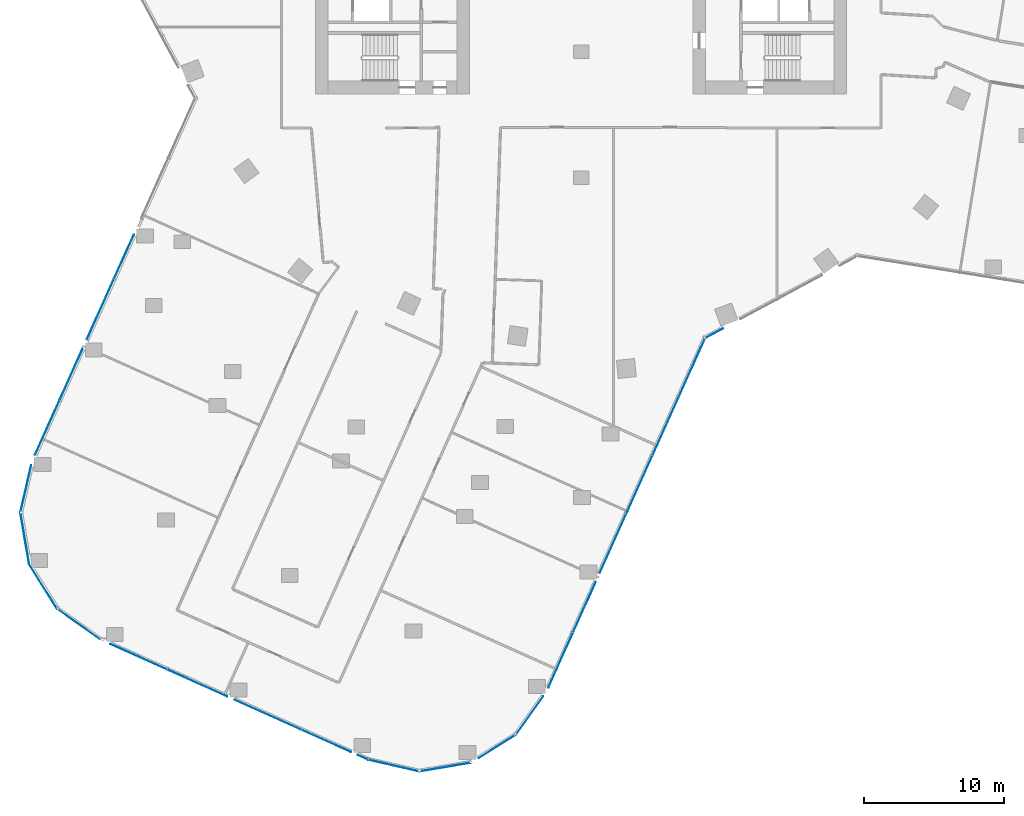
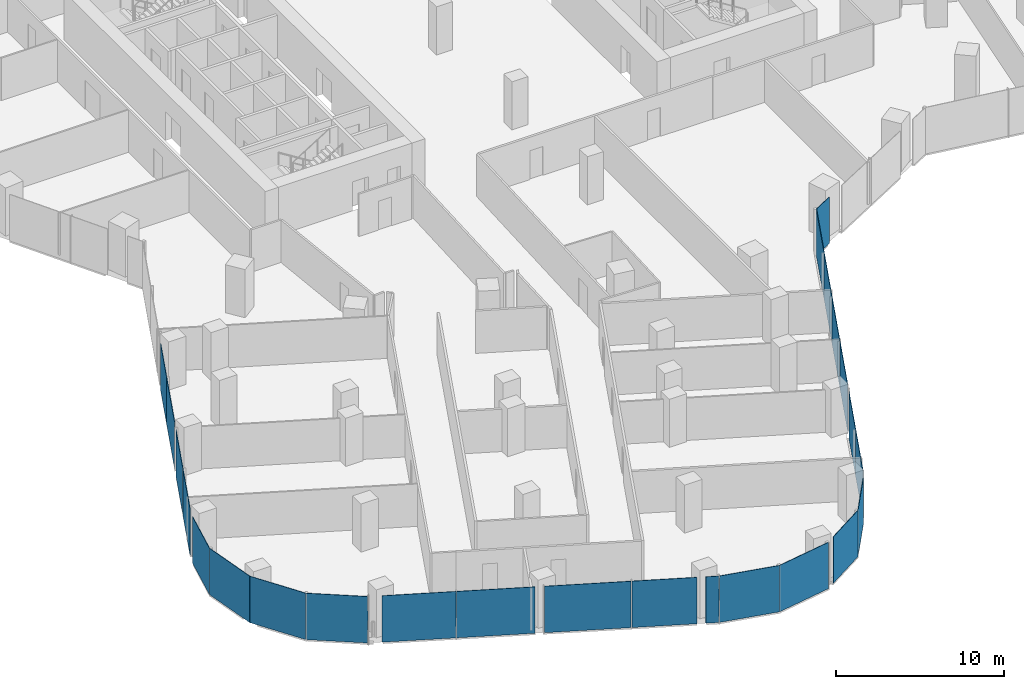
# One storey, part 18 of 34: 24 plates, 12 elements without a shape of their own.
"""IFC4 building model written with IfcOpenShell, lengths in metres."""

from ifc_helpers import new_model, si_unit, direction, frame, origin, origin_2d, place, context, subcontext, project, spatial, rectangle, extrude, material, layer, layer_set, type_object, element, aggregate, save


model = new_model("IFC4")

# Units and contexts
model_context = context("Model", 3, precision=1e-05, world=origin(), true_north=direction((0.0, 1.0)))
body_context = subcontext(model_context, "Body", "Model", "MODEL_VIEW")
ifc_project = project(units=[si_unit("LENGTHUNIT", "METRE"), si_unit("AREAUNIT", "SQUARE_METRE"), si_unit("VOLUMEUNIT", "CUBIC_METRE"), si_unit("PLANEANGLEUNIT", "RADIAN"), si_unit("MASSUNIT", "GRAM", prefix="KILO")], contexts=[model_context])

# Site, building, storey
site_placement = place(None, origin())
site = spatial("IfcSite", under=ifc_project, at=site_placement, CompositionType="ELEMENT")
building_placement = place(site_placement, origin())
building = spatial("IfcBuilding", under=site, at=building_placement, Name="Orlundy Tower", CompositionType="ELEMENT")
storey_placement = place(building_placement, frame((0.0, 0.0, 130.699951171875)))
storey = spatial("IfcBuildingStorey", under=building, at=storey_placement, Name="L33", CompositionType="ELEMENT", Elevation=130.699951171875)

# Curtain wall, plates
ifc_material_1 = material(Name="Aluminium bronze anodised", Category="aluminium")
curtain_wall_type = type_object("IfcCurtainWallType", Name="CW1 wall", PredefinedType="NOTDEFINED", material=ifc_material_1)
curtain_wall_1_placement = place(storey_placement, origin())
curtain_wall_1 = element("IfcCurtainWall", 1, at=curtain_wall_1_placement, inside=storey, type_object=curtain_wall_type, Name="CW1 run 00", PredefinedType="NOTDEFINED")
ifc_material_2 = material(Name="Tinted glass", Category="glass")
ifc_layer = layer(ifc_material_2, 0.031982421875)
ifc_layer_set = layer_set([ifc_layer], Name="CW1 glass panel 32")
plate_type = type_object("IfcPlateType", Name="CW1 glass panel 32", PredefinedType="CURTAIN_PANEL", material=ifc_layer_set)
plate_1_placement = place(storey_placement, frame((-38.206787109375, -35.89306640625, -0.27978515625), z_axis=(0.0, 0.0, 1.0), x_axis=(0.409404071174, 0.912353169834, 0.0)))
plate_1 = element("IfcPlate", 2, at=plate_1_placement, type_object=plate_type, Name="CW1 panel", PredefinedType="CURTAIN_PANEL", context=body_context, shape_type="SweptSolid", body=[
    extrude(rectangle(XDim=4.239501953125, YDim=0.031982421875, at=origin_2d()), origin(), (0.0, 0.0, 1.0), 3.3798828125),
])
plate_2_placement = place(storey_placement, frame((-36.499755859375, -32.0888671875, -0.27978515625), z_axis=(0.0, 0.0, 1.0), x_axis=(0.409404071174, 0.912353169834, 0.0)))
plate_2 = element("IfcPlate", 3, at=plate_2_placement, type_object=plate_type, Name="CW1 panel", PredefinedType="CURTAIN_PANEL", context=body_context, shape_type="SweptSolid", body=[
    extrude(rectangle(XDim=3.999755859375, YDim=0.031982421875, at=origin_2d()), origin(), (0.0, 0.0, 1.0), 3.3798828125),
])
plate_3_placement = place(storey_placement, frame((-34.408447265625, -27.4287109375, -0.27978515625), z_axis=(0.0, 0.0, 1.0), x_axis=(0.409404071174, 0.912353169834, 0.0)))
plate_3 = element("IfcPlate", 4, at=plate_3_placement, type_object=plate_type, Name="CW1 panel", PredefinedType="CURTAIN_PANEL", context=body_context, shape_type="SweptSolid", body=[
    extrude(rectangle(XDim=4.705322265625, YDim=0.031982421875, at=origin_2d()), origin(), (0.0, 0.0, 1.0), 3.3798828125),
])
plate_4_placement = place(storey_placement, frame((-32.717529296875, -23.659912109375, -0.27978515625), z_axis=(0.0, 0.0, 1.0), x_axis=(0.409404071174, 0.912353169834, 0.0)))
plate_4 = element("IfcPlate", 5, at=plate_4_placement, type_object=plate_type, Name="CW1 panel", PredefinedType="CURTAIN_PANEL", context=body_context, shape_type="SweptSolid", body=[
    extrude(rectangle(XDim=3.4560546875, YDim=0.031982421875, at=origin_2d()), origin(), (0.0, 0.0, 1.0), 3.3798828125),
])
aggregate(curtain_wall_1, [plate_1, plate_2, plate_3, plate_4])

# Curtain wall, plate
curtain_wall_2_placement = place(storey_placement, origin())
curtain_wall_2 = element("IfcCurtainWall", 6, at=curtain_wall_2_placement, inside=storey, type_object=curtain_wall_type, Name="CW1 run 017", PredefinedType="NOTDEFINED")
plate_5_placement = place(storey_placement, frame((9.50830078125, -29.142578125, -0.27978515625), z_axis=(0.0, 0.0, 1.0), x_axis=(-0.88019320423, -0.474615553081, 0.0)))
plate_5 = element("IfcPlate", 7, at=plate_5_placement, type_object=plate_type, Name="CW1 panel", PredefinedType="CURTAIN_PANEL", context=body_context, shape_type="SweptSolid", body=[
    extrude(rectangle(XDim=1.450927734375, YDim=0.031982421875, at=origin_2d()), origin(), (0.0, 0.0, 1.0), 3.3798828125),
])
aggregate(curtain_wall_2, [plate_5])

# Curtain wall, plates
curtain_wall_3_placement = place(storey_placement, origin())
curtain_wall_3 = element("IfcCurtainWall", 8, at=curtain_wall_3_placement, inside=storey, type_object=curtain_wall_type, Name="CW1 run 018", PredefinedType="NOTDEFINED")
plate_6_placement = place(storey_placement, frame((7.9384765625, -31.5625, -0.27978515625), z_axis=(0.0, 0.0, 1.0), x_axis=(-0.409405171428, -0.912352676112, 0.0)))
plate_6 = element("IfcPlate", 9, at=plate_6_placement, type_object=plate_type, Name="CW1 panel", PredefinedType="CURTAIN_PANEL", context=body_context, shape_type="SweptSolid", body=[
    extrude(rectangle(XDim=4.550048828125, YDim=0.031982421875, at=origin_2d()), origin(), (0.0, 0.0, 1.0), 3.3798828125),
])
plate_7_placement = place(storey_placement, frame((6.048828125, -35.7734375, -0.27978515625), z_axis=(0.0, 0.0, 1.0), x_axis=(-0.409405171428, -0.912352676112, 0.0)))
plate_7 = element("IfcPlate", 10, at=plate_7_placement, type_object=plate_type, Name="CW1 panel", PredefinedType="CURTAIN_PANEL", context=body_context, shape_type="SweptSolid", body=[
    extrude(rectangle(XDim=4.580810546875, YDim=0.031982421875, at=origin_2d()), origin(), (0.0, 0.0, 1.0), 3.3798828125),
])
plate_8_placement = place(storey_placement, frame((4.153076171875, -39.998291015625, -0.27978515625), z_axis=(0.0, 0.0, 1.0), x_axis=(-0.409405171428, -0.912352676112, 0.0)))
plate_8 = element("IfcPlate", 11, at=plate_8_placement, type_object=plate_type, Name="CW1 panel", PredefinedType="CURTAIN_PANEL", context=body_context, shape_type="SweptSolid", body=[
    extrude(rectangle(XDim=4.580810546875, YDim=0.031982421875, at=origin_2d()), origin(), (0.0, 0.0, 1.0), 3.3798828125),
])
plate_9_placement = place(storey_placement, frame((2.25732421875, -44.22314453125, -0.27978515625), z_axis=(0.0, 0.0, 1.0), x_axis=(-0.409405171428, -0.912352676112, 0.0)))
plate_9 = element("IfcPlate", 12, at=plate_9_placement, type_object=plate_type, Name="CW1 panel", PredefinedType="CURTAIN_PANEL", context=body_context, shape_type="SweptSolid", body=[
    extrude(rectangle(XDim=4.580810546875, YDim=0.031982421875, at=origin_2d()), origin(), (0.0, 0.0, 1.0), 3.3798828125),
])
plate_10_placement = place(storey_placement, frame((0.23291015625, -48.734130859375, -0.27978515625), z_axis=(0.0, 0.0, 1.0), x_axis=(-0.409405171428, -0.912352676112, 0.0)))
plate_10 = element("IfcPlate", 13, at=plate_10_placement, type_object=plate_type, Name="CW1 panel", PredefinedType="CURTAIN_PANEL", context=body_context, shape_type="SweptSolid", body=[
    extrude(rectangle(XDim=3.952880859375, YDim=0.031982421875, at=origin_2d()), origin(), (0.0, 0.0, 1.0), 3.3798828125),
])
plate_11_placement = place(storey_placement, frame((-1.474365234375, -52.538818359375, -0.27978515625), z_axis=(0.0, 0.0, 1.0), x_axis=(-0.409405171428, -0.912352676112, 0.0)))
plate_11 = element("IfcPlate", 14, at=plate_11_placement, type_object=plate_type, Name="CW1 panel", PredefinedType="CURTAIN_PANEL", context=body_context, shape_type="SweptSolid", body=[
    extrude(rectangle(XDim=4.287353515625, YDim=0.031982421875, at=origin_2d()), origin(), (0.0, 0.0, 1.0), 3.3798828125),
])
aggregate(curtain_wall_3, [plate_6, plate_7, plate_8, plate_9, plate_10, plate_11])

# Curtain wall, plate
curtain_wall_4_placement = place(storey_placement, origin())
curtain_wall_4 = element("IfcCurtainWall", 15, at=curtain_wall_4_placement, inside=storey, type_object=curtain_wall_type, Name="CW1 run 019", PredefinedType="NOTDEFINED")
plate_12_placement = place(storey_placement, frame((-3.68798828125, -56.486328125, -0.27978515625), z_axis=(0.0, 0.0, 1.0), x_axis=(-0.579476006313, -0.814989299383, 0.0)))
plate_12 = element("IfcPlate", 16, at=plate_12_placement, type_object=plate_type, Name="CW1 panel", PredefinedType="CURTAIN_PANEL", context=body_context, shape_type="SweptSolid", body=[
    extrude(rectangle(XDim=3.37255859375, YDim=0.031982421875, at=origin_2d()), origin(), (0.0, 0.0, 1.0), 3.3798828125),
])
aggregate(curtain_wall_4, [plate_12])

curtain_wall_5_placement = place(storey_placement, origin())
curtain_wall_5 = element("IfcCurtainWall", 17, at=curtain_wall_5_placement, inside=storey, type_object=curtain_wall_type, Name="CW1 run 020", PredefinedType="NOTDEFINED")
plate_13_placement = place(storey_placement, frame((-5.99951171875, -58.697021484375, -0.27978515625), z_axis=(0.0, 0.0, 1.0), x_axis=(-0.847285276564, -0.531138080086, 0.0)))
plate_13 = element("IfcPlate", 18, at=plate_13_placement, type_object=plate_type, Name="CW1 panel", PredefinedType="CURTAIN_PANEL", context=body_context, shape_type="SweptSolid", body=[
    extrude(rectangle(XDim=3.149658203125, YDim=0.031982421875, at=origin_2d()), origin(), (0.0, 0.0, 1.0), 3.3798828125),
])
aggregate(curtain_wall_5, [plate_13])

curtain_wall_6_placement = place(storey_placement, origin())
curtain_wall_6 = element("IfcCurtainWall", 19, at=curtain_wall_6_placement, inside=storey, type_object=curtain_wall_type, Name="CW1 run 021", PredefinedType="NOTDEFINED")
plate_14_placement = place(storey_placement, frame((-9.72119140625, -60.17822265625, -0.27978515625), z_axis=(0.0, 0.0, 1.0), x_axis=(-0.986049086137, -0.166454797856, 0.0)))
plate_14 = element("IfcPlate", 20, at=plate_14_placement, type_object=plate_type, Name="CW1 panel", PredefinedType="CURTAIN_PANEL", context=body_context, shape_type="SweptSolid", body=[
    extrude(rectangle(XDim=3.77197265625, YDim=0.031982421875, at=origin_2d()), origin(), (0.0, 0.0, 1.0), 3.3798828125),
])
aggregate(curtain_wall_6, [plate_14])

curtain_wall_7_placement = place(storey_placement, origin())
curtain_wall_7 = element("IfcCurtainWall", 21, at=curtain_wall_7_placement, inside=storey, type_object=curtain_wall_type, Name="CW1 run 022", PredefinedType="NOTDEFINED")
plate_15_placement = place(storey_placement, frame((-13.3984375, -60.074951171875, -0.27978515625), z_axis=(0.0, 0.0, 1.0), x_axis=(-0.974658825104, 0.223696612955, 0.0)))
plate_15 = element("IfcPlate", 22, at=plate_15_placement, type_object=plate_type, Name="CW1 panel", PredefinedType="CURTAIN_PANEL", context=body_context, shape_type="SweptSolid", body=[
    extrude(rectangle(XDim=3.7294921875, YDim=0.031982421875, at=origin_2d()), origin(), (0.0, 0.0, 1.0), 3.3798828125),
])
aggregate(curtain_wall_7, [plate_15])

# Curtain wall, plates
curtain_wall_8_placement = place(storey_placement, origin())
curtain_wall_8 = element("IfcCurtainWall", 23, at=curtain_wall_8_placement, inside=storey, type_object=curtain_wall_type, Name="CW1 run 023", PredefinedType="NOTDEFINED")
plate_16_placement = place(storey_placement, frame((-15.62109375, -59.4814453125, -0.27978515625), z_axis=(0.0, 0.0, 1.0), x_axis=(-0.912366461182, 0.409374450241, 0.0)))
plate_16 = element("IfcPlate", 24, at=plate_16_placement, type_object=plate_type, Name="CW1 panel", PredefinedType="CURTAIN_PANEL", context=body_context, shape_type="SweptSolid", body=[
    extrude(rectangle(XDim=0.783935546875, YDim=0.031982421875, at=origin_2d()), origin(), (0.0, 0.0, 1.0), 3.3798828125),
])
plate_17_placement = place(storey_placement, frame((-18.24755859375, -58.302978515625, -0.27978515625), z_axis=(0.0, 0.0, 1.0), x_axis=(-0.912366461182, 0.409374450241, 0.0)))
plate_17 = element("IfcPlate", 25, at=plate_17_placement, type_object=plate_type, Name="CW1 panel", PredefinedType="CURTAIN_PANEL", context=body_context, shape_type="SweptSolid", body=[
    extrude(rectangle(XDim=3.89013671875, YDim=0.031982421875, at=origin_2d()), origin(), (0.0, 0.0, 1.0), 3.3798828125),
])
plate_18_placement = place(storey_placement, frame((-22.440185546875, -56.421875, -0.27978515625), z_axis=(0.0, 0.0, 1.0), x_axis=(-0.912366461182, 0.409374450241, 0.0)))
plate_18 = element("IfcPlate", 26, at=plate_18_placement, type_object=plate_type, Name="CW1 panel", PredefinedType="CURTAIN_PANEL", context=body_context, shape_type="SweptSolid", body=[
    extrude(rectangle(XDim=5.2001953125, YDim=0.031982421875, at=origin_2d()), origin(), (0.0, 0.0, 1.0), 3.3798828125),
])
plate_19_placement = place(storey_placement, frame((-27.462646484375, -54.168212890625, -0.27978515625), z_axis=(0.0, 0.0, 1.0), x_axis=(-0.912366461182, 0.409374450241, 0.0)))
plate_19 = element("IfcPlate", 27, at=plate_19_placement, type_object=plate_type, Name="CW1 panel", PredefinedType="CURTAIN_PANEL", context=body_context, shape_type="SweptSolid", body=[
    extrude(rectangle(XDim=4.6904296875, YDim=0.031982421875, at=origin_2d()), origin(), (0.0, 0.0, 1.0), 3.3798828125),
])
plate_20_placement = place(storey_placement, frame((-31.663330078125, -52.283203125, -0.27978515625), z_axis=(0.0, 0.0, 1.0), x_axis=(-0.912366461182, 0.409374450241, 0.0)))
plate_20 = element("IfcPlate", 28, at=plate_20_placement, type_object=plate_type, Name="CW1 panel", PredefinedType="CURTAIN_PANEL", context=body_context, shape_type="SweptSolid", body=[
    extrude(rectangle(XDim=4.41796875, YDim=0.031982421875, at=origin_2d()), origin(), (0.0, 0.0, 1.0), 3.3798828125),
])
aggregate(curtain_wall_8, [plate_16, plate_17, plate_18, plate_19, plate_20])

# Curtain wall, plate
curtain_wall_9_placement = place(storey_placement, origin())
curtain_wall_9 = element("IfcCurtainWall", 29, at=curtain_wall_9_placement, inside=storey, type_object=curtain_wall_type, Name="CW1 run 024", PredefinedType="NOTDEFINED")
plate_21_placement = place(storey_placement, frame((-35.970458984375, -49.946533203125, -0.27978515625), z_axis=(0.0, 0.0, 1.0), x_axis=(-0.814989299383, 0.579476006313, 0.0)))
plate_21 = element("IfcPlate", 30, at=plate_21_placement, type_object=plate_type, Name="CW1 panel", PredefinedType="CURTAIN_PANEL", context=body_context, shape_type="SweptSolid", body=[
    extrude(rectangle(XDim=3.73046875, YDim=0.031982421875, at=origin_2d()), origin(), (0.0, 0.0, 1.0), 3.3798828125),
])
aggregate(curtain_wall_9, [plate_21])

curtain_wall_10_placement = place(storey_placement, origin())
curtain_wall_10 = element("IfcCurtainWall", 31, at=curtain_wall_10_placement, inside=storey, type_object=curtain_wall_type, Name="CW1 run 025", PredefinedType="NOTDEFINED")
plate_22_placement = place(storey_placement, frame((-38.492431640625, -47.267578125, -0.27978515625), z_axis=(0.0, 0.0, 1.0), x_axis=(-0.531138080086, 0.847285276564, 0.0)))
plate_22 = element("IfcPlate", 32, at=plate_22_placement, type_object=plate_type, Name="CW1 panel", PredefinedType="CURTAIN_PANEL", context=body_context, shape_type="SweptSolid", body=[
    extrude(rectangle(XDim=3.7724609375, YDim=0.031982421875, at=origin_2d()), origin(), (0.0, 0.0, 1.0), 3.3798828125),
])
aggregate(curtain_wall_10, [plate_22])

curtain_wall_11_placement = place(storey_placement, origin())
curtain_wall_11 = element("IfcCurtainWall", 33, at=curtain_wall_11_placement, inside=storey, type_object=curtain_wall_type, Name="CW1 run 026", PredefinedType="NOTDEFINED")
plate_23_placement = place(storey_placement, frame((-39.80810546875, -43.809814453125, -0.27978515625), z_axis=(0.0, 0.0, 1.0), x_axis=(-0.166454797856, 0.986049086137, 0.0)))
plate_23 = element("IfcPlate", 34, at=plate_23_placement, type_object=plate_type, Name="CW1 panel", PredefinedType="CURTAIN_PANEL", context=body_context, shape_type="SweptSolid", body=[
    extrude(rectangle(XDim=3.77197265625, YDim=0.031982421875, at=origin_2d()), origin(), (0.0, 0.0, 1.0), 3.3798828125),
])
aggregate(curtain_wall_11, [plate_23])

curtain_wall_12_placement = place(storey_placement, origin())
curtain_wall_12 = element("IfcCurtainWall", 35, at=curtain_wall_12_placement, inside=storey, type_object=curtain_wall_type, Name="CW1 run 027", PredefinedType="NOTDEFINED")
plate_24_placement = place(storey_placement, frame((-39.736572265625, -40.269775390625, -0.27978515625), z_axis=(0.0, 0.0, 1.0), x_axis=(0.223637795584, 0.974672322571, 0.0)))
plate_24 = element("IfcPlate", 36, at=plate_24_placement, type_object=plate_type, Name="CW1 panel", PredefinedType="CURTAIN_PANEL", context=body_context, shape_type="SweptSolid", body=[
    extrude(rectangle(XDim=3.4482421875, YDim=0.031982421875, at=origin_2d()), origin(), (0.0, 0.0, 1.0), 3.3798828125),
])
aggregate(curtain_wall_12, [plate_24])

save(model, "model.ifc")
